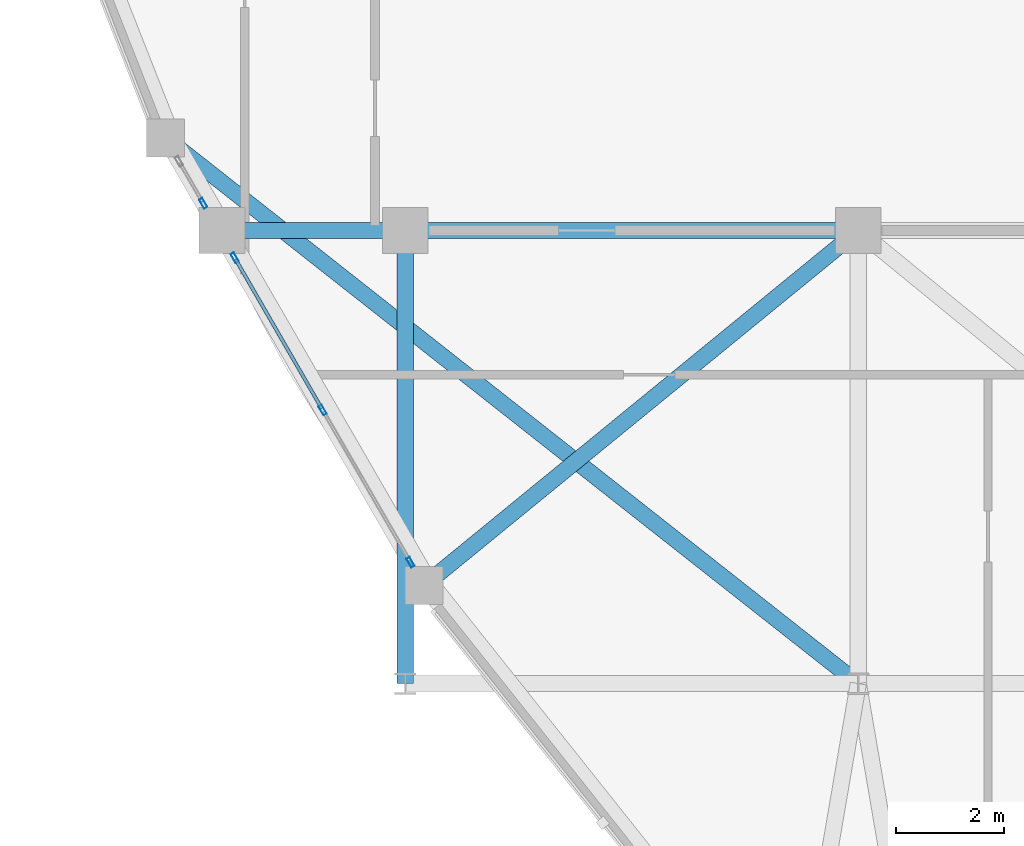
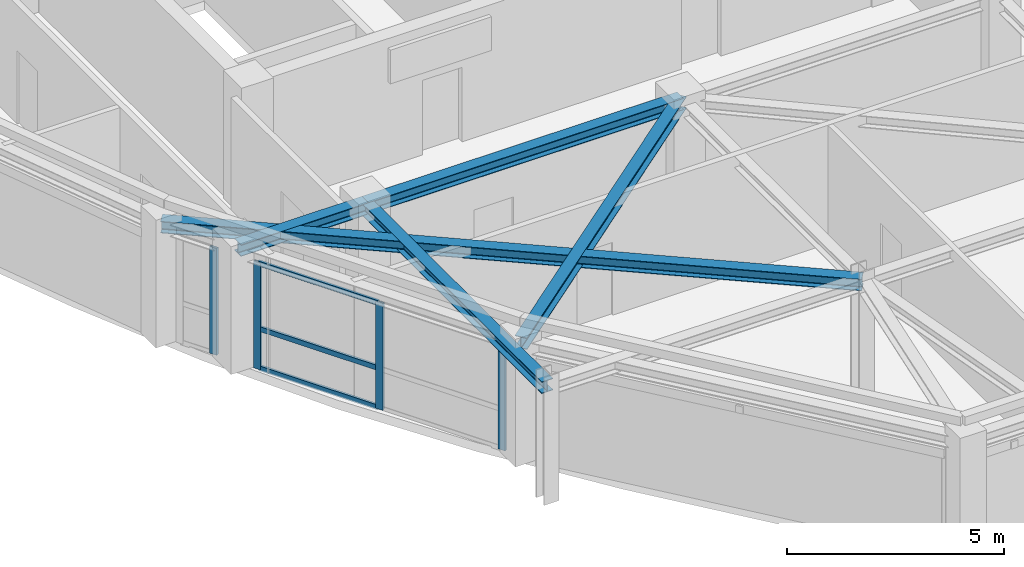
# One storey, part 2 of 13: 7 members, 5 beams, 2 elements without a shape of their own.
"""IFC4 building model written with IfcOpenShell, lengths in metres."""

from ifc_helpers import new_model, si_unit, derived_unit, direction, frame, origin, origin_2d, place, context, subcontext, project, spatial, hollow_rectangle, i_section, extrude, source, transform, mapped, material, layer, layer_set, material_profile, profile_set, type_object, element, aggregate, save


model = new_model("IFC4")

# Units and contexts
model_context = context("Model", 3, precision=1e-05, world=origin(), true_north=direction((0.0, 1.0)))
body_context = subcontext(model_context, "Body", "Model", "MODEL_VIEW")
ifc_project = project(units=[si_unit("LENGTHUNIT", "METRE"), si_unit("AREAUNIT", "SQUARE_METRE"), si_unit("VOLUMEUNIT", "CUBIC_METRE"), si_unit("PLANEANGLEUNIT", "RADIAN"), si_unit("MASSUNIT", "GRAM", prefix="KILO"), derived_unit("THERMALTRANSMITTANCEUNIT", [(si_unit("POWERUNIT", "WATT"), 1), (si_unit("LENGTHUNIT", "METRE"), -2), (si_unit("THERMODYNAMICTEMPERATUREUNIT", "KELVIN"), -1)])], contexts=[model_context])

# Site, building, storey
site_placement = place(None, origin())
site = spatial("IfcSite", under=ifc_project, at=site_placement, CompositionType="ELEMENT")
building_placement = place(site_placement, origin())
building = spatial("IfcBuilding", under=site, at=building_placement, Name="Korsvarv Bourse and Concert Hall", CompositionType="ELEMENT")
storey_placement = place(building_placement, frame((0.0, 0.0, 296.10009765625)))
storey = spatial("IfcBuildingStorey", under=building, at=storey_placement, Name="L77", CompositionType="ELEMENT", Elevation=296.10009765625)

# Beams
ifc_material_1 = material(Name="Steel S355", Category="steel")
ifc_material_profile_1 = material_profile(ifc_material_1, i_section(OverallWidth=0.300048828125, OverallDepth=0.330078125, WebThickness=0.009521484375, FlangeThickness=0.0166015625, FilletRadius=0.02099609375, at=origin_2d()), Name="HEA 340")
ifc_profile_set_1 = profile_set([ifc_material_profile_1], Name="Steel S355")
beam_type = type_object("IfcBeamType", Name="BM-HEA340", PredefinedType="BEAM", material=ifc_profile_set_1)
shared_shape_1 = source(origin(), body_context, "Body", "SweptSolid", [
    extrude(i_section(OverallWidth=0.300048828125, OverallDepth=0.330078125, WebThickness=0.009521484375, FlangeThickness=0.0166015625, FilletRadius=0.02099609375, at=origin_2d()), origin(), (0.0, 0.0, 1.0), 3.400146484375),
])
beam_1_placement = place(storey_placement, frame((24.199951171875, 32.39990234375, 3.1748046875), z_axis=(1.0, 0.0, 0.0), x_axis=(0.0, 1.0, 0.0)))
element("IfcBeam", 1, at=beam_1_placement, inside=storey, type_object=beam_type, Name="L77 beam B-12", PredefinedType="BEAM", context=body_context, shape_type="MappedRepresentation", body=[
    mapped(shared_shape_1, transform((0.0, 0.0, 0.0), scale=1.0)),
])
shared_shape_2 = source(origin(), body_context, "Body", "SweptSolid", [
    extrude(i_section(OverallWidth=0.300048828125, OverallDepth=0.330078125, WebThickness=0.009521484375, FlangeThickness=0.0166015625, FilletRadius=0.02099609375, at=origin_2d()), origin(), (0.0, 0.0, 1.0), 8.39990234375),
])
for number, where, z_axis, x_axis, name in (
    (2, (27.60009765625, 32.39990234375, 3.1748046875), (1.0, 0.0, 0.0), (0.0, 1.0, 0.0), "L77 beam B-12"),
    (3, (27.60009765625, 24.0, 3.1748046875), (0.0, 1.0, 0.0), (-1.0, 0.0, 0.0), "L77 beam B-12"),
):
    element("IfcBeam", number, at=place(storey_placement, frame(where, z_axis=z_axis, x_axis=x_axis)), inside=storey, type_object=beam_type, Name=name, PredefinedType="BEAM", context=body_context, shape_type="MappedRepresentation", body=[
        mapped(shared_shape_2, transform((0.0, 0.0, 0.0), scale=1.0)),
    ])
shared_shape_3 = source(origin(), body_context, "Body", "SweptSolid", [
    extrude(i_section(OverallWidth=0.300048828125, OverallDepth=0.330078125, WebThickness=0.009521484375, FlangeThickness=0.0166015625, FilletRadius=0.02099609375, at=origin_2d()), origin(), (0.0, 0.0, 1.0), 16.3486328125),
])
beam_2_placement = place(storey_placement, frame((23.156494140625, 34.115478515625, 3.1748046875), z_axis=(0.785600111166, -0.618734567756, 0.0), x_axis=(0.618734567756, 0.785600111166, 0.0)))
element("IfcBeam", 4, at=beam_2_placement, inside=storey, type_object=beam_type, Name="L77 beam B-12", PredefinedType="BEAM", context=body_context, shape_type="MappedRepresentation", body=[
    mapped(shared_shape_3, transform((0.0, 0.0, 0.0), scale=1.0)),
])
shared_shape_4 = source(origin(), body_context, "Body", "SweptSolid", [
    extrude(i_section(OverallWidth=0.300048828125, OverallDepth=0.330078125, WebThickness=0.009521484375, FlangeThickness=0.0166015625, FilletRadius=0.02099609375, at=origin_2d()), origin(), (0.0, 0.0, 1.0), 10.400390625),
])
beam_3_placement = place(storey_placement, frame((27.9462890625, 25.8193359375, 3.1748046875), z_axis=(0.774373395788, 0.632728886567, 0.0), x_axis=(-0.632728886567, 0.774373395788, 0.0)))
element("IfcBeam", 5, at=beam_3_placement, inside=storey, type_object=beam_type, Name="L77 beam B-12", PredefinedType="BEAM", context=body_context, shape_type="MappedRepresentation", body=[
    mapped(shared_shape_4, transform((0.0, 0.0, 0.0), scale=1.0)),
])

# Curtain wall, member
ifc_material_2 = material(Name="Anodised aluminium and triple low-E glazing", Category="glass")
ifc_layer = layer(ifc_material_2, 0.22998046875)
ifc_layer_set = layer_set([ifc_layer], Name="Anodised aluminium and triple low-E glazing")
curtain_wall_type = type_object("IfcCurtainWallType", Name="CW-SYS-6", PredefinedType="NOTDEFINED", material=ifc_layer_set)
curtain_wall_1_placement = place(storey_placement, origin())
curtain_wall_1 = element("IfcCurtainWall", 6, at=curtain_wall_1_placement, inside=storey, type_object=curtain_wall_type, Name="L77 CW6 curtain wall CW-L77-CRN07-1", PredefinedType="NOTDEFINED")
ifc_material_3 = material(Name="Extruded aluminium EN AW-6063 T66", Category="aluminium")
ifc_material_profile_2 = material_profile(ifc_material_3, hollow_rectangle(XDim=0.070068359375, YDim=0.18994140625, WallThickness=0.0048828125, at=origin_2d()), Name="ALU-M 70x190")
ifc_profile_set_2 = profile_set([ifc_material_profile_2], Name="Extruded aluminium EN AW-6063 T66")
member_type_1 = type_object("IfcMemberType", Name="CWM-190", PredefinedType="MULLION", material=ifc_profile_set_2)
shared_shape_5 = source(origin(), body_context, "Body", "SweptSolid", [
    extrude(hollow_rectangle(XDim=0.070068359375, YDim=0.18994140625, WallThickness=0.0048828125, at=origin_2d()), origin(), (0.0, 0.0, 1.0), 3.010009765625),
])
member_1_placement = place(storey_placement, frame((23.855224609375, 32.9052734375, 0.0), z_axis=(0.0, 0.0, 1.0), x_axis=(0.865989998116, 0.500061319403, 0.0)))
member_1 = element("IfcMember", 7, at=member_1_placement, type_object=member_type_1, Name="CW6 mullion 2", PredefinedType="MULLION", context=body_context, shape_type="MappedRepresentation", body=[
    mapped(shared_shape_5, transform((0.0, 0.0, 0.0), scale=1.0)),
])
aggregate(curtain_wall_1, [member_1])

# Curtain wall, members
curtain_wall_2_placement = place(storey_placement, origin())
curtain_wall_2 = element("IfcCurtainWall", 8, at=curtain_wall_2_placement, inside=storey, type_object=curtain_wall_type, Name="L77 CW6 curtain wall CW-L77-CRN07-2", PredefinedType="NOTDEFINED")
member_2_placement = place(storey_placement, frame((24.438720703125, 31.894775390625, 0.0), z_axis=(0.0, 0.0, 1.0), x_axis=(0.866020783041, 0.500008003278, 0.0)))
member_2 = element("IfcMember", 9, at=member_2_placement, type_object=member_type_1, Name="CW6 mullion 1", PredefinedType="MULLION", context=body_context, shape_type="MappedRepresentation", body=[
    mapped(shared_shape_5, transform((0.0, 0.0, 0.0), scale=1.0)),
])
member_3_placement = place(storey_placement, frame((26.068359375, 29.072265625, 0.0), z_axis=(0.0, 0.0, 1.0), x_axis=(0.866020783041, 0.500008003278, 0.0)))
member_3 = element("IfcMember", 10, at=member_3_placement, type_object=member_type_1, Name="CW6 mullion 2", PredefinedType="MULLION", context=body_context, shape_type="MappedRepresentation", body=[
    mapped(shared_shape_5, transform((0.0, 0.0, 0.0), scale=1.0)),
])
member_4_placement = place(storey_placement, frame((27.697998046875, 26.249755859375, 0.0), z_axis=(0.0, 0.0, 1.0), x_axis=(0.866020783041, 0.500008003278, 0.0)))
member_4 = element("IfcMember", 11, at=member_4_placement, type_object=member_type_1, Name="CW6 mullion 3", PredefinedType="MULLION", context=body_context, shape_type="MappedRepresentation", body=[
    mapped(shared_shape_5, transform((0.0, 0.0, 0.0), scale=1.0)),
])
ifc_material_profile_3 = material_profile(ifc_material_3, hollow_rectangle(XDim=0.06494140625, YDim=0.139892578125, WallThickness=0.00390625, at=origin_2d()), Name="ALU-T 65x140")
ifc_profile_set_3 = profile_set([ifc_material_profile_3], Name="Extruded aluminium EN AW-6063 T66")
member_type_2 = type_object("IfcMemberType", Name="CWT-140", PredefinedType="USERDEFINED", material=ifc_profile_set_3)
shared_shape_6 = source(origin(), body_context, "Body", "SweptSolid", [
    extrude(hollow_rectangle(XDim=0.06494140625, YDim=0.139892578125, WallThickness=0.00390625, at=origin_2d()), origin(), (0.0, 0.0, 1.0), 3.18896484375),
])
member_5_placement = place(storey_placement, frame((24.456298828125, 31.8642578125, 0.032470703125), z_axis=(0.500000789788, -0.8660249478, 0.0), x_axis=(0.8660249478, 0.500000789788, 0.0)))
member_5 = element("IfcMember", 12, at=member_5_placement, type_object=member_type_2, Name="CW6 transom 1.1", ObjectType="TRANSOM", PredefinedType="USERDEFINED", context=body_context, shape_type="MappedRepresentation", body=[
    mapped(shared_shape_6, transform((0.0, 0.0, 0.0), scale=1.0)),
])
member_6_placement = place(storey_placement, frame((24.456298828125, 31.8642578125, 1.143798828125), z_axis=(0.500000789788, -0.8660249478, 0.0), x_axis=(0.8660249478, 0.500000789788, 0.0)))
member_6 = element("IfcMember", 13, at=member_6_placement, type_object=member_type_2, Name="CW6 transom 1.2", ObjectType="TRANSOM", PredefinedType="USERDEFINED", context=body_context, shape_type="MappedRepresentation", body=[
    mapped(shared_shape_6, transform((0.0, 0.0, 0.0), scale=1.0)),
])
member_7_placement = place(storey_placement, frame((24.456298828125, 31.8642578125, 2.977294921875), z_axis=(0.500000789788, -0.8660249478, 0.0), x_axis=(0.8660249478, 0.500000789788, 0.0)))
member_7 = element("IfcMember", 14, at=member_7_placement, type_object=member_type_2, Name="CW6 transom 1.3", ObjectType="TRANSOM", PredefinedType="USERDEFINED", context=body_context, shape_type="MappedRepresentation", body=[
    mapped(shared_shape_6, transform((0.0, 0.0, 0.0), scale=1.0)),
])
aggregate(curtain_wall_2, [member_2, member_3, member_4, member_5, member_6, member_7])

save(model, "model.ifc")
